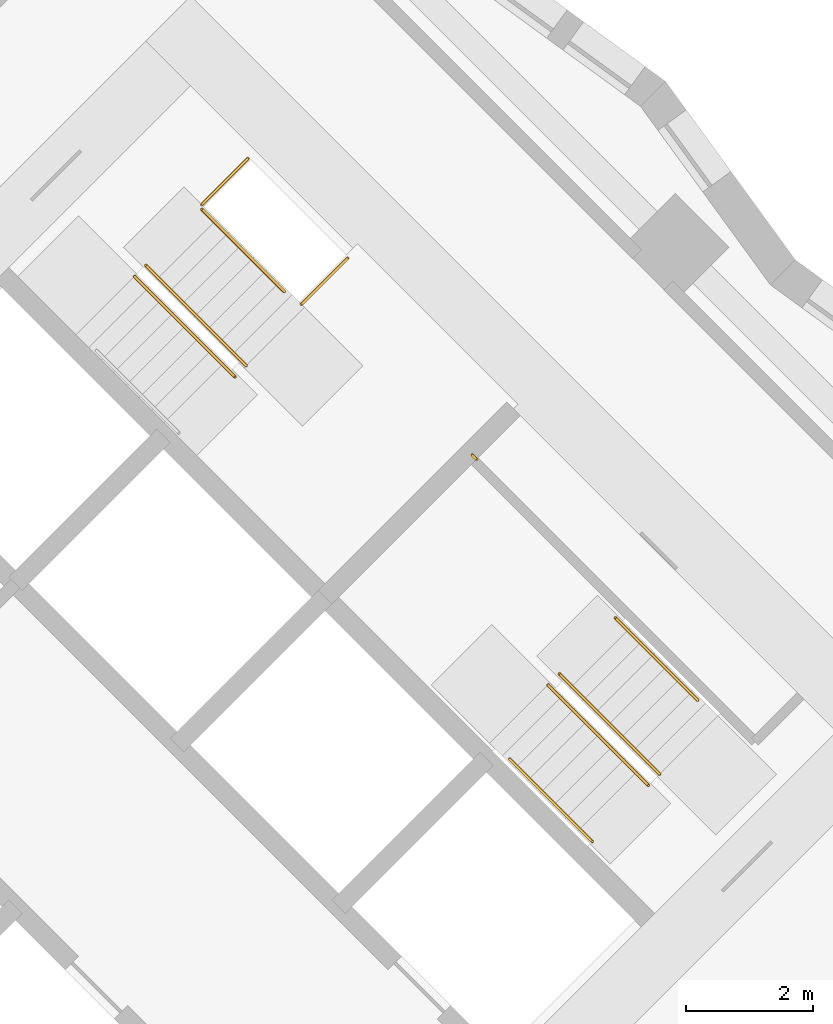
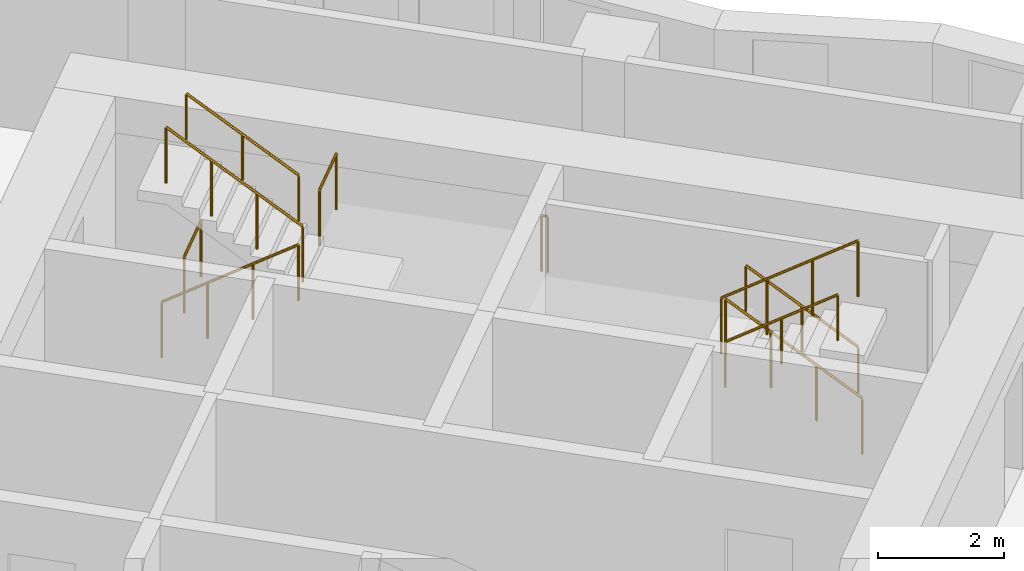
# One storey, part 12 of 12: 10 railings.
"""IFC4 building model written with IfcOpenShell, lengths in metres."""

from ifc_helpers import new_model, si_unit, direction, frame, origin, origin_2d, place, context, subcontext, project, spatial, circle, extrude, material, type_object, element, save


model = new_model("IFC4")

# Units and contexts
model_context = context("Model", 3, precision=1e-05, world=origin(), true_north=direction((0.0, 1.0)))
body_context = subcontext(model_context, "Body", "Model", "MODEL_VIEW")
ifc_project = project(units=[si_unit("LENGTHUNIT", "METRE"), si_unit("AREAUNIT", "SQUARE_METRE"), si_unit("VOLUMEUNIT", "CUBIC_METRE"), si_unit("PLANEANGLEUNIT", "RADIAN"), si_unit("MASSUNIT", "GRAM", prefix="KILO")], contexts=[model_context])

# Site, building, storey
site_placement = place(None, origin())
site = spatial("IfcSite", under=ifc_project, at=site_placement, CompositionType="ELEMENT")
building_placement = place(site_placement, origin())
building = spatial("IfcBuilding", under=site, at=building_placement, Name="Windrow Commons", CompositionType="ELEMENT")
storey_placement = place(building_placement, frame((0.0, 0.0, 54.2)))
storey = spatial("IfcBuildingStorey", under=building, at=storey_placement, Name="L14", CompositionType="ELEMENT", Elevation=54.2)

# Railings
ifc_material_1 = material(Name="Steel S355", Category="steel")
railing_type_1 = type_object("IfcRailingType", Name="Core stair guard 1100", PredefinedType="GUARDRAIL", material=ifc_material_1)
railing_1_placement = place(storey_placement, frame((85.9529, 56.2669, 0.1889)))
element("IfcRailing", 1, at=railing_1_placement, inside=storey, type_object=railing_type_1, Name="L14 ST-B1 stair guard 1", PredefinedType="GUARDRAIL", context=body_context, shape_type="SweptSolid", body=[
    extrude(circle(Radius=0.024, at=origin_2d()), frame((0.0, 0.0, 1.076), z_axis=(0.5861914914, -0.5861914914, 0.5592486664), x_axis=(0.7071067812, 0.7071067812, 0.0)), (0.0, 0.0, 1.0), 2.702),
    extrude(circle(Radius=0.021, at=origin_2d()), origin(), (0.0, 0.0, 1.0), 1.052),
    extrude(circle(Radius=0.021, at=origin_2d()), frame((0.528, -0.528, 0.5037)), (0.0, 0.0, 1.0), 1.052),
    extrude(circle(Radius=0.021, at=origin_2d()), frame((1.0559, -1.0559, 1.0074)), (0.0, 0.0, 1.0), 1.052),
    extrude(circle(Radius=0.021, at=origin_2d()), frame((1.5839, -1.5839, 1.5111)), (0.0, 0.0, 1.0), 1.052),
])
railing_2_placement = place(storey_placement, frame((87.7136, 54.8597, 1.8889)))
element("IfcRailing", 2, at=railing_2_placement, inside=storey, type_object=railing_type_1, Name="L14 ST-B1 stair guard 2", PredefinedType="GUARDRAIL", context=body_context, shape_type="SweptSolid", body=[
    extrude(circle(Radius=0.024, at=origin_2d()), frame((0.0, 0.0, 1.076), z_axis=(-0.5862030657, 0.5862030657, 0.5592244018), x_axis=(-0.7071067812, -0.7071067812, 0.0)), (0.0, 0.0, 1.0), 2.7021),
    extrude(circle(Radius=0.021, at=origin_2d()), origin(), (0.0, 0.0, 1.0), 1.052),
    extrude(circle(Radius=0.021, at=origin_2d()), frame((-0.528, 0.528, 0.5037)), (0.0, 0.0, 1.0), 1.052),
    extrude(circle(Radius=0.021, at=origin_2d()), frame((-1.056, 1.056, 1.0074)), (0.0, 0.0, 1.0), 1.052),
    extrude(circle(Radius=0.021, at=origin_2d()), frame((-1.584, 1.584, 1.5111)), (0.0, 0.0, 1.0), 1.052),
])
railing_3_placement = place(storey_placement, frame((87.0135, 57.3982, 0.0)))
element("IfcRailing", 3, at=railing_3_placement, inside=storey, type_object=railing_type_1, Name="L14 ST-B1 stair guard 3", PredefinedType="GUARDRAIL", context=body_context, shape_type="SweptSolid", body=[
    extrude(circle(Radius=0.024, at=origin_2d()), frame((0.0, 0.0, 1.076), z_axis=(0.7070582378, 0.7071553212, 0.0), x_axis=(-0.7071553212, 0.7070582378, 0.0)), (0.0, 0.0, 1.0), 1.03),
    extrude(circle(Radius=0.021, at=origin_2d()), origin(), (0.0, 0.0, 1.0), 1.052),
    extrude(circle(Radius=0.021, at=origin_2d()), frame((0.7283, 0.7284, 0.0)), (0.0, 0.0, 1.0), 1.052),
])
railing_4_placement = place(storey_placement, frame((88.5833, 55.8285, 1.7)))
element("IfcRailing", 4, at=railing_4_placement, inside=storey, type_object=railing_type_1, Name="L14 ST-B1 stair guard 4", PredefinedType="GUARDRAIL", context=body_context, shape_type="SweptSolid", body=[
    extrude(circle(Radius=0.024, at=origin_2d()), frame((0.0, 0.0, 1.076), z_axis=(0.7071067812, 0.7071067812, 0.0), x_axis=(-0.7071067812, 0.7071067812, 0.0)), (0.0, 0.0, 1.0), 1.03),
    extrude(circle(Radius=0.021, at=origin_2d()), origin(), (0.0, 0.0, 1.0), 1.052),
    extrude(circle(Radius=0.021, at=origin_2d()), frame((0.7283, 0.7283, 0.0)), (0.0, 0.0, 1.0), 1.052),
])
railing_5_placement = place(storey_placement, frame((94.2296, 48.4215, 0.1889)))
element("IfcRailing", 5, at=railing_5_placement, inside=storey, type_object=railing_type_1, Name="L14 ST-B2 stair guard 1", PredefinedType="GUARDRAIL", context=body_context, shape_type="SweptSolid", body=[
    extrude(circle(Radius=0.024, at=origin_2d()), frame((0.0, 0.0, 1.076), z_axis=(-0.5862157828, 0.5861787742, 0.5592365337), x_axis=(-0.7070844598, -0.7071291018, 0.0)), (0.0, 0.0, 1.0), 2.7021),
    extrude(circle(Radius=0.021, at=origin_2d()), origin(), (0.0, 0.0, 1.0), 1.052),
    extrude(circle(Radius=0.021, at=origin_2d()), frame((-0.528, 0.528, 0.5037)), (0.0, 0.0, 1.0), 1.052),
    extrude(circle(Radius=0.021, at=origin_2d()), frame((-1.056, 1.0559, 1.0074)), (0.0, 0.0, 1.0), 1.052),
    extrude(circle(Radius=0.021, at=origin_2d()), frame((-1.584, 1.5839, 1.5111)), (0.0, 0.0, 1.0), 1.052),
])
railing_6_placement = place(storey_placement, frame((92.4689, 49.8287, 1.8889)))
element("IfcRailing", 6, at=railing_6_placement, inside=storey, type_object=railing_type_1, Name="L14 ST-B2 stair guard 2", PredefinedType="GUARDRAIL", context=body_context, shape_type="SweptSolid", body=[
    extrude(circle(Radius=0.024, at=origin_2d()), frame((0.0, 0.0, 1.076), z_axis=(0.5861787742, -0.5862157828, 0.5592365337), x_axis=(0.7071291018, 0.7070844598, 0.0)), (0.0, 0.0, 1.0), 2.7021),
    extrude(circle(Radius=0.021, at=origin_2d()), origin(), (0.0, 0.0, 1.0), 1.052),
    extrude(circle(Radius=0.021, at=origin_2d()), frame((0.528, -0.528, 0.5037)), (0.0, 0.0, 1.0), 1.052),
    extrude(circle(Radius=0.021, at=origin_2d()), frame((1.0559, -1.056, 1.0074)), (0.0, 0.0, 1.0), 1.052),
    extrude(circle(Radius=0.021, at=origin_2d()), frame((1.5839, -1.584, 1.5111)), (0.0, 0.0, 1.0), 1.052),
])
railing_7_placement = place(storey_placement, frame((91.3446, 53.3854, 1.7)))
element("IfcRailing", 7, at=railing_7_placement, inside=storey, type_object=railing_type_1, Name="L14 ST-B2 stair guard 3", PredefinedType="GUARDRAIL", context=body_context, shape_type="SweptSolid", body=[
    extrude(circle(Radius=0.024, at=origin_2d()), frame((0.0, 0.0, 1.076), z_axis=(-0.7076063266, 0.7066068826, 0.0), x_axis=(-0.7066068826, -0.7076063266, 0.0)), (0.0, 0.0, 1.0), 0.1001),
    extrude(circle(Radius=0.021, at=origin_2d()), origin(), (0.0, 0.0, 1.0), 1.052),
    extrude(circle(Radius=0.021, at=origin_2d()), frame((-0.0708, 0.0707, 0.0)), (0.0, 0.0, 1.0), 1.052),
])
ifc_material_2 = material(Name="Steel S355", Category="steel")
railing_type_2 = type_object("IfcRailingType", Name="Core stair handrail 900", PredefinedType="HANDRAIL", material=ifc_material_2)
railing_8_placement = place(storey_placement, frame((88.3146, 56.0265, 2.1587)))
element("IfcRailing", 8, at=railing_8_placement, inside=storey, type_object=railing_type_2, Name="L14 ST-B1 stair handrail 2", PredefinedType="HANDRAIL", context=body_context, shape_type="SweptSolid", body=[
    extrude(circle(Radius=0.024, at=origin_2d()), frame((0.0, 0.0, 0.876), z_axis=(-0.586206706, 0.5861616513, 0.5592639952), x_axis=(-0.7070796062, -0.7071339551, 0.0)), (0.0, 0.0, 1.0), 2.2195),
    extrude(circle(Radius=0.021, at=origin_2d()), origin(), (0.0, 0.0, 1.0), 0.852),
    extrude(circle(Radius=0.021, at=origin_2d()), frame((-0.6506, 0.6505, 0.6207)), (0.0, 0.0, 1.0), 0.852),
    extrude(circle(Radius=0.021, at=origin_2d()), frame((-1.3011, 1.301, 1.2413)), (0.0, 0.0, 1.0), 0.852),
])
railing_9_placement = place(storey_placement, frame((94.8306, 49.5883, 0.4587)))
element("IfcRailing", 9, at=railing_9_placement, inside=storey, type_object=railing_type_2, Name="L14 ST-B2 stair handrail 1", PredefinedType="HANDRAIL", context=body_context, shape_type="SweptSolid", body=[
    extrude(circle(Radius=0.024, at=origin_2d()), frame((0.0, 0.0, 0.876), z_axis=(-0.586206706, 0.5861616513, 0.5592639952), x_axis=(-0.7070796062, -0.7071339551, 0.0)), (0.0, 0.0, 1.0), 2.2195),
    extrude(circle(Radius=0.021, at=origin_2d()), origin(), (0.0, 0.0, 1.0), 0.852),
    extrude(circle(Radius=0.021, at=origin_2d()), frame((-0.6506, 0.6505, 0.6206)), (0.0, 0.0, 1.0), 0.852),
    extrude(circle(Radius=0.021, at=origin_2d()), frame((-1.3011, 1.301, 1.2413)), (0.0, 0.0, 1.0), 0.852),
])
railing_10_placement = place(storey_placement, frame((91.8678, 48.6619, 2.1587)))
element("IfcRailing", 10, at=railing_10_placement, inside=storey, type_object=railing_type_2, Name="L14 ST-B2 stair handrail 2", PredefinedType="HANDRAIL", context=body_context, shape_type="SweptSolid", body=[
    extrude(circle(Radius=0.024, at=origin_2d()), frame((0.0, 0.0, 0.876), z_axis=(0.586206706, -0.5861616513, 0.5592639952), x_axis=(0.7070796062, 0.7071339551, 0.0)), (0.0, 0.0, 1.0), 2.2195),
    extrude(circle(Radius=0.021, at=origin_2d()), origin(), (0.0, 0.0, 1.0), 0.852),
    extrude(circle(Radius=0.021, at=origin_2d()), frame((0.6505, -0.6505, 0.6207)), (0.0, 0.0, 1.0), 0.852),
    extrude(circle(Radius=0.021, at=origin_2d()), frame((1.3011, -1.301, 1.2413)), (0.0, 0.0, 1.0), 0.852),
])

save(model, "model.ifc")
